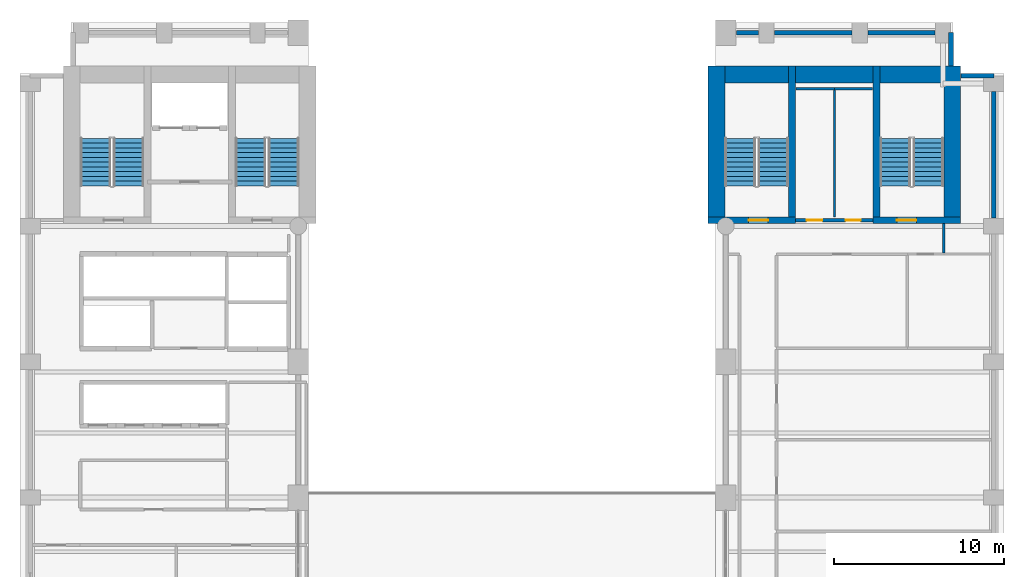
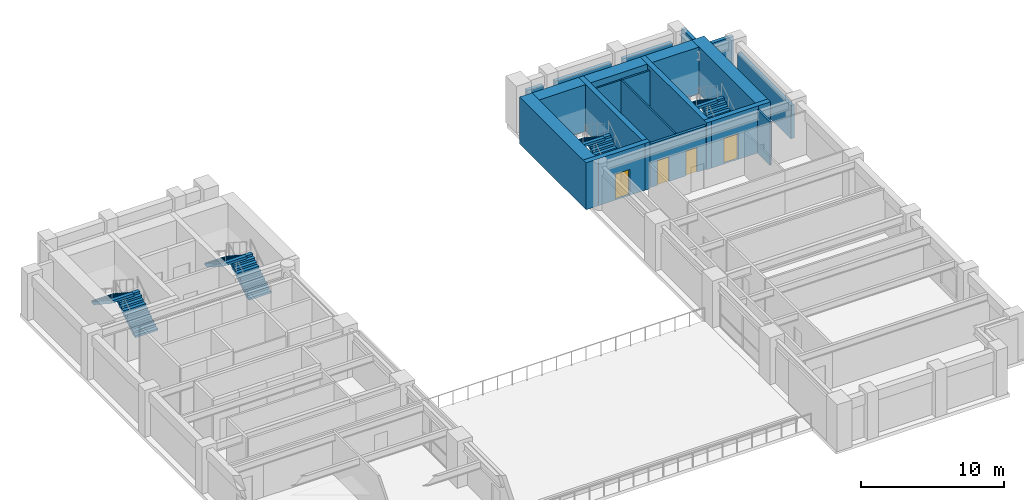
# One storey, part 7 of 10: 18 walls, 8 stair flights, 4 doors, 4 openings, 4 elements without a shape of their own.
"""IFC4 building model written with IfcOpenShell, lengths in metres."""

import ifcopenshell
import ifcopenshell.guid

model = None  # the IFC model being written
_history = None  # IfcOwnerHistory: only IFC2X3 demands one
_inside = {}  # id of a spatial element -> (the spatial element, [elements in it])
_under = {}  # id of a project, library or spatial element -> (it, [spatial elements below it])
_declared = {}  # id of a project -> (the project, [libraries it declares])
_typed = {}  # id of a type object -> (the type object, [elements of that type])
_made_of = {}  # id of a material, layer set ... -> (it, [elements and type objects made of it])


def new_model(schema):
    """Start an empty IFC model of exactly this schema.

    Asked for "IFC4X3", IfcOpenShell would pick the latest addendum, in which some entities
    have other attributes; the version numbers below select the first issue.
    IFC2X3 requires an IfcOwnerHistory on every rooted entity: one is made here for all.
    """
    global model, _history
    if schema == "IFC4X3":
        model = ifcopenshell.file(schema_version=(4, 3, 0, 0))
    else:
        model = ifcopenshell.file(schema=schema)
    _inside.clear()
    _under.clear()
    _declared.clear()
    _typed.clear()
    _made_of.clear()
    _history = None
    if model.schema == "IFC2X3":
        org = make("IfcOrganization", Name="unknown")
        user = make(
            "IfcPersonAndOrganization",
            ThePerson=make("IfcPerson", FamilyName="unknown"),
            TheOrganization=org,
        )
        app = make(
            "IfcApplication",
            ApplicationDeveloper=org,
            Version="unknown",
            ApplicationFullName="unknown",
            ApplicationIdentifier="unknown",
        )
        _history = make(
            "IfcOwnerHistory",
            OwningUser=user,
            OwningApplication=app,
            ChangeAction="ADDED",
            CreationDate=0,
        )
    return model


def make(cls, **values):
    """One entity of the class cls with the attributes given. An attribute that is None is left unset."""
    return model.create_entity(
        cls, **{name: value for name, value in values.items() if value is not None}
    )


def rooted(cls, **values):
    """An entity with a GlobalId (a new one), such as an element, a storey or a relation."""
    return make(cls, GlobalId=ifcopenshell.guid.new(), OwnerHistory=_history, **values)


def si_unit(unit_type, name, prefix=None):
    """IfcSIUnit, for example si_unit("LENGTHUNIT", "METRE", prefix="MILLI")."""
    return make("IfcSIUnit", UnitType=unit_type, Prefix=prefix, Name=name)


def assignment(units):
    """IfcUnitAssignment: the units of a project."""
    return None if units is None else make("IfcUnitAssignment", Units=units)


def point(xyz):
    """IfcCartesianPoint."""
    return None if xyz is None else make("IfcCartesianPoint", Coordinates=xyz)


def direction(xyz):
    """IfcDirection."""
    return None if xyz is None else make("IfcDirection", DirectionRatios=xyz)


def frame(location, z_axis=None, x_axis=None):
    """IfcAxis2Placement3D, a coordinate frame: its origin and axes. An axis left out is left unset."""
    return make(
        "IfcAxis2Placement3D",
        Location=point(location),
        Axis=direction(z_axis),
        RefDirection=direction(x_axis),
    )


def frame_2d(location, x_axis=None):
    """IfcAxis2Placement2D, a coordinate frame in the plane: its origin and x axis."""
    return make(
        "IfcAxis2Placement2D", Location=point(location), RefDirection=direction(x_axis)
    )


def origin():
    """The frame at (0, 0, 0) with its axes left unset."""
    return frame((0.0, 0.0, 0.0))


def place(relative_to, where):
    """IfcLocalPlacement: puts the frame where relative to a parent placement (None: the world)."""
    return make(
        "IfcLocalPlacement", PlacementRelTo=relative_to, RelativePlacement=where
    )


def context(
    kind, dimensions, precision=None, world=None, true_north=None, identifier=None
):
    """IfcGeometricRepresentationContext, for example the 3D "Model" context."""
    return make(
        "IfcGeometricRepresentationContext",
        ContextIdentifier=identifier,
        ContextType=kind,
        CoordinateSpaceDimension=dimensions,
        Precision=precision,
        WorldCoordinateSystem=world,
        TrueNorth=true_north,
    )


def subcontext(parent, identifier, kind, view, scale=None):
    """IfcGeometricRepresentationSubContext, for example "Body" below "Model"."""
    return make(
        "IfcGeometricRepresentationSubContext",
        ContextIdentifier=identifier,
        ContextType=kind,
        ParentContext=parent,
        TargetScale=scale,
        TargetView=view,
    )


def project(units=None, contexts=None):
    """IfcProject with its units and contexts."""
    return rooted(
        "IfcProject",
        Name="project",
        RepresentationContexts=contexts,
        UnitsInContext=assignment(units),
    )


def spatial(cls, under=None, at=None, **own):
    """A site, building, storey or space (cls), placed at a placement, below another one or the project."""
    s = rooted(cls, ObjectPlacement=at, **own)
    if under is not None:
        _under.setdefault(under.id(), (under, []))[1].append(s)
    return s


def polyline(points):
    """IfcPolyline through the points."""
    return make("IfcPolyline", Points=[point(p) for p in points])


def profile(cls, at=None, kind="AREA", **sizes):
    """A parametric profile (cls). Its sizes go by their IFC names, for example OverallWidth=200.0."""
    return make(cls, ProfileType=kind, Position=at, **sizes)


def rectangle(**sizes):
    """IfcRectangleProfileDef."""
    return profile("IfcRectangleProfileDef", **sizes)


def outline(outer, holes=None, kind="AREA"):
    """IfcArbitraryClosedProfileDef: a profile drawn as a closed curve; with holes, ...WithVoids."""
    if holes is None:
        return make("IfcArbitraryClosedProfileDef", ProfileType=kind, OuterCurve=outer)
    return make(
        "IfcArbitraryProfileDefWithVoids",
        ProfileType=kind,
        OuterCurve=outer,
        InnerCurves=holes,
    )


def extrude(swept, where, along, depth):
    """IfcExtrudedAreaSolid: the profile swept, set in the frame where, extruded along a direction by depth."""
    return make(
        "IfcExtrudedAreaSolid",
        SweptArea=swept,
        Position=where,
        ExtrudedDirection=direction(along),
        Depth=depth,
    )


def shape(context_of_items, identifier, shape_type, items):
    """IfcShapeRepresentation: the items that make up one representation, for example the "Body"."""
    return make(
        "IfcShapeRepresentation",
        ContextOfItems=context_of_items,
        RepresentationIdentifier=identifier,
        RepresentationType=shape_type,
        Items=items,
    )


def material(Name=None, Category=None):
    """IfcMaterial."""
    return make("IfcMaterial", Name=Name, Category=Category)


def layer(
    of_material, thickness, ventilated=None, Name=None, Category=None, Priority=None
):
    """IfcMaterialLayer: one layer of a wall or slab, of a material (None: an air gap)."""
    return make(
        "IfcMaterialLayer",
        Material=of_material,
        LayerThickness=thickness,
        IsVentilated=ventilated,
        Name=Name,
        Category=Category,
        Priority=Priority,
    )


def layer_set(layers, Name=None):
    """IfcMaterialLayerSet."""
    return make("IfcMaterialLayerSet", MaterialLayers=layers, LayerSetName=Name)


def made_of(thing, what):
    """Note that an element or type object is made of a material, layer set ...; save() writes the relation."""
    if what is not None:
        _made_of.setdefault(what.id(), (what, []))[1].append(thing)
    return thing


def type_object(cls, material=None, **own):
    """A type object (cls), such as IfcWallType, which elements share."""
    return made_of(rooted(cls, **own), material)


def element(
    cls,
    number,
    at=None,
    inside=None,
    cuts=None,
    type_object=None,
    material=None,
    context=None,
    identifier="Body",
    shape_type=None,
    held_by="IfcProductDefinitionShape",
    body=None,
    shapes=None,
    **own,
):
    """One element of the class cls, such as IfcWall. Its Tag is "e" and its number.

    at: its placement. inside: the storey or other place that contains it. cuts: it is an
    opening in that element (IfcRelVoidsElement). A single representation is given by context,
    identifier, shape_type and body (its items); several are given by shapes. held_by: the class
    of the entity that holds the representations. save() writes the other relations.
    """
    e = rooted(cls, Tag="e%d" % number, ObjectPlacement=at, **own)
    if body is not None:
        shapes = [shape(context, identifier, shape_type, body)]
    if shapes is not None:
        e.Representation = make(held_by, Representations=shapes)
    if inside is not None:
        _inside.setdefault(inside.id(), (inside, []))[1].append(e)
    if cuts is not None:
        rooted(
            "IfcRelVoidsElement", RelatingBuildingElement=cuts, RelatedOpeningElement=e
        )
    if type_object is not None:
        _typed.setdefault(type_object.id(), (type_object, []))[1].append(e)
    return made_of(e, material)


def fill(opening, filler):
    """IfcRelFillsElement: the door or window that sits in an opening."""
    return rooted(
        "IfcRelFillsElement",
        RelatingOpeningElement=opening,
        RelatedBuildingElement=filler,
    )


def aggregate(whole, parts):
    """IfcRelAggregates: a whole, such as a stair, and the parts it consists of."""
    return rooted("IfcRelAggregates", RelatingObject=whole, RelatedObjects=parts)


def save(model, path):
    """Write the relations noted so far, then the file.

    IfcRelAggregates (storeys below a building ...), IfcRelContainedInSpatialStructure (elements
    in a storey), IfcRelDefinesByType, IfcRelAssociatesMaterial and IfcRelDeclares: one each for
    every whole, place, type object, material and project.
    """
    for whole, parts in _under.values():
        aggregate(whole, parts)
    for where, things in _inside.values():
        rooted(
            "IfcRelContainedInSpatialStructure",
            RelatedElements=things,
            RelatingStructure=where,
        )
    for kind, things in _typed.values():
        rooted("IfcRelDefinesByType", RelatedObjects=things, RelatingType=kind)
    for what, things in _made_of.values():
        rooted("IfcRelAssociatesMaterial", RelatedObjects=things, RelatingMaterial=what)
    for by, libraries in _declared.values():
        rooted("IfcRelDeclares", RelatingContext=by, RelatedDefinitions=libraries)
    model.write(path)


model = new_model("IFC4")

# Units and contexts
model_context = context("Model", 3, precision=1e-05, world=origin(), true_north=direction((0.0, 1.0)))
body_context = subcontext(model_context, "Body", "Model", "MODEL_VIEW")
ifc_project = project(units=[si_unit("LENGTHUNIT", "METRE"), si_unit("AREAUNIT", "SQUARE_METRE"), si_unit("VOLUMEUNIT", "CUBIC_METRE"), si_unit("PLANEANGLEUNIT", "RADIAN"), si_unit("MASSUNIT", "GRAM", prefix="KILO")], contexts=[model_context])

# Site, building, storey
site_placement = place(None, origin())
site = spatial("IfcSite", under=ifc_project, at=site_placement, CompositionType="ELEMENT")
building_placement = place(site_placement, origin())
building = spatial("IfcBuilding", under=site, at=building_placement, Name="Sulina Concourse Tower", CompositionType="ELEMENT")
storey_placement = place(building_placement, frame((0.0, 0.0, 22.60009765625)))
storey = spatial("IfcBuildingStorey", under=building, at=storey_placement, Name="L05", CompositionType="ELEMENT", Elevation=22.60009765625)

# Wall, openings, doors
ifc_material_1 = material(Name="Gypsum board on steel stud", Category="steel")
ifc_layer_1 = layer(ifc_material_1, 0.219970703125)
ifc_layer_set_1 = layer_set([ifc_layer_1], Name="Gypsum board on steel stud")
wall_type_1 = type_object("IfcWallType", Name="Fire-Rated Lobby & Compartment Wall 220mm", PredefinedType="PARTITIONING", material=ifc_layer_set_1)
wall_1_placement = place(storey_placement, frame((45.719970703125, 34.35009765625, 0.0), z_axis=(0.0, 0.0, 1.0), x_axis=(1.0, 0.0, 0.0)))
wall_1 = element("IfcWall", 1, at=wall_1_placement, inside=storey, type_object=wall_type_1, Name="L05 east core south lobby wall", PredefinedType="PARTITIONING", context=body_context, shape_type="SweptSolid", body=[
    extrude(rectangle(XDim=4.56005859375, YDim=0.219970703125, at=frame_2d((2.280029296875, 0.0))), origin(), (0.0, 0.0, 1.0), 3.699951171875),
])
opening_1_placement = place(wall_1_placement, frame((0.64990234375, 0.0, 0.0)))
opening_1 = element("IfcOpeningElement", 2, at=opening_1_placement, cuts=wall_1, Name="Opening DR-61", PredefinedType="OPENING", context=body_context, shape_type="SweptSolid", body=[
    extrude(rectangle(XDim=0.919921875, YDim=2.10009765625, at=frame_2d((0.4599609375, 1.050048828125))), frame((0.0, 0.119873046875, 0.0), z_axis=(0.0, -1.0, 0.0), x_axis=(1.0, 0.0, 0.0)), (0.0, 0.0, 1.0), 0.239990234375),
])
opening_2_placement = place(wall_1_placement, frame((2.949951171875, 0.0, 0.0)))
opening_2 = element("IfcOpeningElement", 3, at=opening_2_placement, cuts=wall_1, Name="Opening DR-38", PredefinedType="OPENING", context=body_context, shape_type="SweptSolid", body=[
    extrude(rectangle(XDim=0.8798828125, YDim=2.10009765625, at=frame_2d((0.43994140625, 1.050048828125))), frame((0.0, 0.119873046875, 0.0), z_axis=(0.0, -1.0, 0.0), x_axis=(1.0, 0.0, 0.0)), (0.0, 0.0, 1.0), 0.239990234375),
])
ifc_material_2 = material(Name="Oak-veneered fire door leaf")
ifc_layer_2 = layer(ifc_material_2, 0.050048828125)
ifc_layer_set_2 = layer_set([ifc_layer_2], Name="Oak-veneered fire door leaf")
door_type_1 = type_object("IfcDoorType", Name="Accessible WC Door 920x2100", OperationType="NOTDEFINED", PredefinedType="DOOR", material=ifc_layer_set_2)
door_1_placement = place(opening_1_placement, origin())
door_1 = element("IfcDoor", 4, at=door_1_placement, inside=storey, type_object=door_type_1, Name="L05 east core accessible wc door", OperationType="SINGLE_SWING_RIGHT", OverallHeight=2.10009765625, OverallWidth=0.919921875, PredefinedType="DOOR", context=body_context, shape_type="SweptSolid", body=[
    extrude(rectangle(XDim=0.919921875, YDim=2.10009765625, at=frame_2d((0.4599609375, 1.050048828125))), frame((0.0, 0.02490234375, 0.0), z_axis=(0.0, -1.0, 0.0), x_axis=(1.0, 0.0, 0.0)), (0.0, 0.0, 1.0), 0.050048828125),
])
fill(opening_1, door_1)
ifc_material_3 = material(Name="Galvanised steel acoustic fire leaf", Category="steel")
ifc_layer_3 = layer(ifc_material_3, 0.050048828125)
ifc_layer_set_3 = layer_set([ifc_layer_3], Name="Galvanised steel acoustic fire leaf")
door_type_2 = type_object("IfcDoorType", Name="Service Riser Fire Door 880x2100", OperationType="NOTDEFINED", PredefinedType="DOOR", material=ifc_layer_set_3)
door_2_placement = place(opening_2_placement, origin())
door_2 = element("IfcDoor", 5, at=door_2_placement, inside=storey, type_object=door_type_2, Name="L05 east core store door", OperationType="SINGLE_SWING_LEFT", OverallHeight=2.10009765625, OverallWidth=0.8798828125, PredefinedType="DOOR", context=body_context, shape_type="SweptSolid", body=[
    extrude(rectangle(XDim=0.8798828125, YDim=2.10009765625, at=frame_2d((0.43994140625, 1.050048828125))), frame((0.0, 0.02490234375, 0.0), z_axis=(0.0, -1.0, 0.0), x_axis=(1.0, 0.0, 0.0)), (0.0, 0.0, 1.0), 0.050048828125),
])
fill(opening_2, door_2)

# Walls
ifc_material_4 = material(Name="Gypsum board on steel stud", Category="steel")
ifc_layer_4 = layer(ifc_material_4, 0.14990234375)
ifc_layer_set_4 = layer_set([ifc_layer_4], Name="Gypsum board on steel stud")
wall_type_2 = type_object("IfcWallType", Name="Inter-Tenancy Acoustic Partition 150mm", PredefinedType="PARTITIONING", material=ifc_layer_set_4)
wall_2_placement = place(storey_placement, frame((48.0, 42.10009765625, 0.0), z_axis=(0.0, 0.0, 1.0), x_axis=(1.0, 0.0, 0.0)))
element("IfcWall", 6, at=wall_2_placement, inside=storey, type_object=wall_type_2, Name="L05 interior partition 023", PredefinedType="PARTITIONING", context=body_context, shape_type="SweptSolid", body=[
    extrude(rectangle(XDim=2.25, YDim=0.14990234375, at=frame_2d((1.125, 0.0))), origin(), (0.0, 0.0, 1.0), 3.699951171875),
])
wall_3_placement = place(storey_placement, frame((54.449951171875, 32.41259765625, 0.0), z_axis=(0.0, 0.0, 1.0), x_axis=(0.0, 1.0, 0.0)))
element("IfcWall", 7, at=wall_3_placement, inside=storey, type_object=wall_type_2, Name="L05 interior partition 040", PredefinedType="PARTITIONING", context=body_context, shape_type="SweptSolid", body=[
    extrude(rectangle(XDim=1.7373046875, YDim=0.14990234375, at=frame_2d((0.86865234375, 0.0))), origin(), (0.0, 0.0, 1.0), 3.699951171875),
])

# Wall, opening, door
ifc_material_5 = material(Name="Concrete C60/75", Category="concrete")
ifc_layer_5 = layer(ifc_material_5, 0.39990234375)
ifc_layer_set_5 = layer_set([ifc_layer_5], Name="Concrete C60/75")
wall_type_3 = type_object("IfcWallType", Name="Protected Stair Core Shear Wall 400mm", PredefinedType="SHEAR", material=ifc_layer_set_5)
wall_4_placement = place(storey_placement, frame((40.550048828125, 34.35009765625, 0.0), z_axis=(0.0, 0.0, 1.0), x_axis=(1.0, 0.0, 0.0)))
wall_4 = element("IfcWall", 8, at=wall_4_placement, inside=storey, type_object=wall_type_3, Name="L05 east core shear wall CW-ES1", PredefinedType="SHEAR", context=body_context, shape_type="SweptSolid", body=[
    extrude(rectangle(XDim=5.159912109375, YDim=0.39990234375, at=frame_2d((2.580078125, 0.0))), origin(), (0.0, 0.0, 1.0), 4.0),
])
opening_3_placement = place(wall_4_placement, frame((2.39990234375, 0.0, 0.0)))
opening_3 = element("IfcOpeningElement", 9, at=opening_3_placement, cuts=wall_4, Name="Opening DR-60", PredefinedType="OPENING", context=body_context, shape_type="SweptSolid", body=[
    extrude(rectangle(XDim=1.14990234375, YDim=2.199951171875, at=frame_2d((0.574951171875, 1.10009765625))), frame((0.0, 0.2099609375, 0.0), z_axis=(0.0, -1.0, 0.0), x_axis=(1.0, 0.0, 0.0)), (0.0, 0.0, 1.0), 0.419921875),
])
ifc_material_6 = material(Name="Galvanised steel acoustic fire leaf", Category="steel")
ifc_layer_6 = layer(ifc_material_6, 0.054931640625)
ifc_layer_set_6 = layer_set([ifc_layer_6], Name="Galvanised steel acoustic fire leaf")
door_type_3 = type_object("IfcDoorType", Name="Protected Exit Stair Fire Door 1150x2200", OperationType="NOTDEFINED", PredefinedType="DOOR", material=ifc_layer_set_6)
door_3_placement = place(opening_3_placement, origin())
door_3 = element("IfcDoor", 10, at=door_3_placement, inside=storey, type_object=door_type_3, Name="L05 stair ST-3 south lobby fire door", OperationType="SINGLE_SWING_LEFT", OverallHeight=2.199951171875, OverallWidth=1.14990234375, PredefinedType="DOOR", context=body_context, shape_type="SweptSolid", body=[
    extrude(rectangle(XDim=1.14990234375, YDim=2.199951171875, at=frame_2d((0.574951171875, 1.10009765625))), frame((0.0, 0.02490234375, 0.0), z_axis=(0.0, -1.0, 0.0), x_axis=(1.0, 0.0, 0.0)), (0.0, 0.0, 1.0), 0.050048828125),
])
fill(opening_3, door_3)

# Wall
wall_5_placement = place(storey_placement, frame((45.510009765625, 34.14990234375, 0.0), z_axis=(0.0, 0.0, 1.0), x_axis=(0.0, 1.0, 0.0)))
element("IfcWall", 11, at=wall_5_placement, inside=storey, type_object=wall_type_3, Name="L05 east core shear wall SW-ST3", PredefinedType="SHEAR", context=body_context, shape_type="SweptSolid", body=[
    extrude(rectangle(XDim=9.280029296875, YDim=0.39990234375, at=frame_2d((4.64013671875, 0.0))), origin(), (0.0, 0.0, 1.0), 4.0),
])

# Wall, opening, door
wall_6_placement = place(storey_placement, frame((50.2900390625, 34.35009765625, 0.0), z_axis=(0.0, 0.0, 1.0), x_axis=(1.0, 0.0, 0.0)))
wall_6 = element("IfcWall", 12, at=wall_6_placement, inside=storey, type_object=wall_type_3, Name="L05 east core shear wall CW-ES2", PredefinedType="SHEAR", context=body_context, shape_type="SweptSolid", body=[
    extrude(rectangle(XDim=5.159912109375, YDim=0.39990234375, at=frame_2d((2.580078125, 0.0))), origin(), (0.0, 0.0, 1.0), 4.0),
])
opening_4_placement = place(wall_6_placement, frame((1.39990234375, 0.0, 0.0)))
opening_4 = element("IfcOpeningElement", 13, at=opening_4_placement, cuts=wall_6, Name="Opening DR-60", PredefinedType="OPENING", context=body_context, shape_type="SweptSolid", body=[
    extrude(rectangle(XDim=1.14990234375, YDim=2.199951171875, at=frame_2d((0.574951171875, 1.10009765625))), frame((0.0, 0.2099609375, 0.0), z_axis=(0.0, -1.0, 0.0), x_axis=(1.0, 0.0, 0.0)), (0.0, 0.0, 1.0), 0.419921875),
])
door_4_placement = place(opening_4_placement, origin())
door_4 = element("IfcDoor", 14, at=door_4_placement, inside=storey, type_object=door_type_3, Name="L05 stair ST-4 south lobby fire door", OperationType="SINGLE_SWING_RIGHT", OverallHeight=2.199951171875, OverallWidth=1.14990234375, PredefinedType="DOOR", context=body_context, shape_type="SweptSolid", body=[
    extrude(rectangle(XDim=1.14990234375, YDim=2.199951171875, at=frame_2d((0.574951171875, 1.10009765625))), frame((0.0, 0.02490234375, 0.0), z_axis=(0.0, -1.0, 0.0), x_axis=(1.0, 0.0, 0.0)), (0.0, 0.0, 1.0), 0.050048828125),
])
fill(opening_4, door_4)

# Walls
wall_7_placement = place(storey_placement, frame((50.489990234375, 34.14990234375, 0.0), z_axis=(0.0, 0.0, 1.0), x_axis=(0.0, 1.0, 0.0)))
element("IfcWall", 15, at=wall_7_placement, inside=storey, type_object=wall_type_3, Name="L05 east core shear wall SW-ST4", PredefinedType="SHEAR", context=body_context, shape_type="SweptSolid", body=[
    extrude(rectangle(XDim=9.280029296875, YDim=0.39990234375, at=frame_2d((4.64013671875, 0.0))), origin(), (0.0, 0.0, 1.0), 4.0),
])
ifc_material_7 = material(Name="Concrete C80/95", Category="concrete")
ifc_layer_7 = layer(ifc_material_7, 1.0)
ifc_layer_set_7 = layer_set([ifc_layer_7], Name="Concrete C80/95")
wall_type_4 = type_object("IfcWallType", Name="Rear Core Shear Wall 1000mm", PredefinedType="SHEAR", material=ifc_layer_set_7)
wall_8_placement = place(storey_placement, frame((40.550048828125, 42.929931640625, 0.0), z_axis=(0.0, 0.0, 1.0), x_axis=(1.0, 0.0, 0.0)))
element("IfcWall", 16, at=wall_8_placement, inside=storey, type_object=wall_type_4, Name="L05 east core shear wall CW-EN", PredefinedType="SHEAR", context=body_context, shape_type="SweptSolid", body=[
    extrude(rectangle(XDim=14.89990234375, YDim=1.0, at=frame_2d((7.449951171875, 0.0))), origin(), (0.0, 0.0, 1.0), 4.0),
])
for number, where, z_axis, x_axis, name in (
    (17, (41.050048828125, 34.14990234375, 0.0), (0.0, 0.0, 1.0), (0.0, 1.0, 0.0), "L05 east core shear wall CW-EW"),
    (18, (54.949951171875, 34.14990234375, 0.0), (0.0, 0.0, 1.0), (0.0, 1.0, 0.0), "L05 east core shear wall CW-EE"),
):
    element("IfcWall", number, at=place(storey_placement, frame(where, z_axis=z_axis, x_axis=x_axis)), inside=storey, type_object=wall_type_4, Name=name, PredefinedType="SHEAR", context=body_context, shape_type="SweptSolid", body=[
        extrude(rectangle(XDim=9.280029296875, YDim=1.0, at=frame_2d((4.64013671875, 0.0))), origin(), (0.0, 0.0, 1.0), 4.0),
    ])
ifc_material_8 = material(Name="Precast concrete C50/60", Category="concrete")
ifc_layer_8 = layer(ifc_material_8, 0.280029296875)
ifc_layer_set_8 = layer_set([ifc_layer_8], Name="Precast concrete C50/60")
wall_type_5 = type_object("IfcWallType", Name="Typical Precast Masonry-Frame Facade Wall 280mm", PredefinedType="SOLIDWALL", material=ifc_layer_set_8)
wall_9_placement = place(storey_placement, frame((42.219970703125, 45.39990234375, 0.0), z_axis=(0.0, 0.0, 1.0), x_axis=(1.0, 0.0, 0.0)))
element("IfcWall", 19, at=wall_9_placement, inside=storey, type_object=wall_type_5, Name="L05 exterior precast wall N5", PredefinedType="SOLIDWALL", context=body_context, shape_type="SweptSolid", body=[
    extrude(rectangle(XDim=1.31005859375, YDim=0.280029296875, at=frame_2d((0.655029296875, 0.0))), origin(), (0.0, 0.0, 1.0), 2.849853515625),
])
wall_10_placement = place(storey_placement, frame((44.469970703125, 45.39990234375, 0.0), z_axis=(0.0, 0.0, 1.0), x_axis=(1.0, 0.0, 0.0)))
element("IfcWall", 20, at=wall_10_placement, inside=storey, type_object=wall_type_5, Name="L05 exterior precast wall N6", PredefinedType="SOLIDWALL", context=body_context, shape_type="SweptSolid", body=[
    extrude(rectangle(XDim=4.56005859375, YDim=0.280029296875, at=frame_2d((2.280029296875, 0.0))), origin(), (0.0, 0.0, 1.0), 2.849853515625),
])
wall_11_placement = place(storey_placement, frame((49.969970703125, 45.39990234375, 0.0), z_axis=(0.0, 0.0, 1.0), x_axis=(1.0, 0.0, 0.0)))
element("IfcWall", 21, at=wall_11_placement, inside=storey, type_object=wall_type_5, Name="L05 exterior precast wall N7", PredefinedType="SOLIDWALL", context=body_context, shape_type="SweptSolid", body=[
    extrude(rectangle(XDim=3.9599609375, YDim=0.280029296875, at=frame_2d((1.97998046875, 0.0))), origin(), (0.0, 0.0, 1.0), 2.849853515625),
])
wall_12_placement = place(storey_placement, frame((57.39990234375, 41.929931640625, 0.0), z_axis=(0.0, 0.0, 1.0), x_axis=(0.0, -1.0, 0.0)))
element("IfcWall", 22, at=wall_12_placement, inside=storey, type_object=wall_type_5, Name="L05 exterior precast wall E5", PredefinedType="SOLIDWALL", context=body_context, shape_type="SweptSolid", body=[
    extrude(rectangle(XDim=7.4599609375, YDim=0.280029296875, at=frame_2d((3.72998046875, 0.0))), origin(), (0.0, 0.0, 1.0), 2.849853515625),
])
wall_13_placement = place(storey_placement, frame((54.8701171875, 45.39990234375, 0.0), z_axis=(0.0, 0.0, 1.0), x_axis=(0.0, -1.0, 0.0)))
element("IfcWall", 23, at=wall_13_placement, inside=storey, type_object=wall_type_5, Name="L05 exterior precast wall CNE1", PredefinedType="SOLIDWALL", context=body_context, shape_type="SweptSolid", body=[
    extrude(rectangle(XDim=1.96484375, YDim=0.280029296875, at=frame_2d((0.982421875, 0.0))), origin(), (0.0, 0.0, 1.0), 3.699951171875),
])
wall_14_placement = place(storey_placement, frame((55.455078125, 42.8701171875, 0.0), z_axis=(0.0, 0.0, 1.0), x_axis=(1.0, 0.0, 0.0)))
element("IfcWall", 24, at=wall_14_placement, inside=storey, type_object=wall_type_5, Name="L05 exterior precast wall CNE2", PredefinedType="SOLIDWALL", context=body_context, shape_type="SweptSolid", body=[
    extrude(rectangle(XDim=1.94482421875, YDim=0.280029296875, at=frame_2d((0.972412109375, 0.0))), origin(), (0.0, 0.0, 1.0), 3.699951171875),
])
ifc_material_9 = material(Name="Gypsum board on steel stud", Category="steel")
ifc_layer_9 = layer(ifc_material_9, 0.125)
ifc_layer_set_9 = layer_set([ifc_layer_9], Name="Gypsum board on steel stud")
wall_type_6 = type_object("IfcWallType", Name="Wet-Area Moisture-Resistant Partition 125mm", PredefinedType="PARTITIONING", material=ifc_layer_set_9)
wall_15_placement = place(storey_placement, frame((45.75, 42.10009765625, 0.0), z_axis=(0.0, 0.0, 1.0), x_axis=(1.0, 0.0, 0.0)))
element("IfcWall", 25, at=wall_15_placement, inside=storey, type_object=wall_type_6, Name="L05 interior partition 022", PredefinedType="PARTITIONING", context=body_context, shape_type="SweptSolid", body=[
    extrude(rectangle(XDim=2.25, YDim=0.125, at=frame_2d((1.125, 0.0))), origin(), (0.0, 0.0, 1.0), 3.699951171875),
])
wall_16_placement = place(storey_placement, frame((48.0, 34.550048828125, 0.0), z_axis=(0.0, 0.0, 1.0), x_axis=(0.0, 1.0, 0.0)))
element("IfcWall", 26, at=wall_16_placement, inside=storey, type_object=wall_type_6, Name="L05 interior partition 038", PredefinedType="PARTITIONING", context=body_context, shape_type="SweptSolid", body=[
    extrude(rectangle(XDim=7.474853515625, YDim=0.125, at=frame_2d((3.7373046875, 0.0))), origin(), (0.0, 0.0, 1.0), 3.699951171875),
])

# Stair, stair flights
ifc_material_10 = material(Name="Concrete C50/60", Category="concrete")
stair_type_1 = type_object("IfcStairType", Name="Portal & Podium Core Exit Stair 1820mm", PredefinedType="HALF_TURN_STAIR", material=ifc_material_10)
stair_1_placement = place(storey_placement, origin())
stair_1 = element("IfcStair", 27, at=stair_1_placement, inside=storey, type_object=stair_type_1, Name="L05 ST-3", PredefinedType="HALF_TURN_STAIR")
ifc_material_11 = material(Name="Concrete C50/60", Category="concrete")
stair_flight_type_1 = type_object("IfcStairFlightType", Name="Portal & Podium Core Exit Stair 1820mm Flight", PredefinedType="STRAIGHT", material=ifc_material_11)
stair_flight_1_placement = place(storey_placement, frame((44.405029296875, 36.375, 0.0), z_axis=(0.0, 0.0, 1.0), x_axis=(0.0, 1.0, 0.0)))
stair_flight_1 = element("IfcStairFlight", 28, at=stair_flight_1_placement, type_object=stair_flight_type_1, Name="ST-3 flight 1", NumberOfRisers=11, NumberOfTreads=10, PredefinedType="STRAIGHT", RiserHeight=0.181818182, TreadLength=0.28, context=body_context, shape_type="SweptSolid", body=[
    extrude(outline(polyline([(0.0, 0.0), (0.0, 0.181884765625), (0.280029296875, 0.181884765625), (0.280029296875, 0.363525390625), (0.56005859375, 0.363525390625), (0.56005859375, 0.54541015625), (0.840087890625, 0.54541015625), (0.840087890625, 0.727294921875), (1.1201171875, 0.727294921875), (1.1201171875, 0.9091796875), (1.39990234375, 0.9091796875), (1.39990234375, 1.0908203125), (1.679931640625, 1.0908203125), (1.679931640625, 1.272705078125), (1.9599609375, 1.272705078125), (1.9599609375, 1.45458984375), (2.239990234375, 1.45458984375), (2.239990234375, 1.636474609375), (2.52001953125, 1.636474609375), (2.52001953125, 1.818115234375), (2.800048828125, 1.818115234375), (2.800048828125, 2.0), (2.800048828125, 1.603759765625), (0.330322265625, 0.0), (0.0, 0.0)])), frame((0.0, 0.89990234375, 0.0), z_axis=(0.0, -1.0, 0.0), x_axis=(1.0, 0.0, 0.0)), (0.0, 0.0, 1.0), 1.800048828125),
])
stair_flight_2_placement = place(storey_placement, frame((42.455078125, 39.175048828125, 2.0), z_axis=(0.0, 0.0, 1.0), x_axis=(0.0, -1.0, 0.0)))
stair_flight_2 = element("IfcStairFlight", 29, at=stair_flight_2_placement, type_object=stair_flight_type_1, Name="ST-3 flight 2", NumberOfRisers=11, NumberOfTreads=10, PredefinedType="STRAIGHT", RiserHeight=0.181818182, TreadLength=0.28, context=body_context, shape_type="SweptSolid", body=[
    extrude(outline(polyline([(0.0, 0.0), (0.0, 0.181884765625), (0.280029296875, 0.181884765625), (0.280029296875, 0.363525390625), (0.56005859375, 0.363525390625), (0.56005859375, 0.54541015625), (0.840087890625, 0.54541015625), (0.840087890625, 0.727294921875), (1.1201171875, 0.727294921875), (1.1201171875, 0.9091796875), (1.39990234375, 0.9091796875), (1.39990234375, 1.0908203125), (1.679931640625, 1.0908203125), (1.679931640625, 1.272705078125), (1.9599609375, 1.272705078125), (1.9599609375, 1.45458984375), (2.239990234375, 1.45458984375), (2.239990234375, 1.636474609375), (2.52001953125, 1.636474609375), (2.52001953125, 1.818115234375), (2.800048828125, 1.818115234375), (2.800048828125, 2.0), (2.800048828125, 1.603759765625), (0.330322265625, 0.0), (0.0, 0.0)])), frame((0.0, 0.89990234375, 0.0), z_axis=(0.0, -1.0, 0.0), x_axis=(1.0, 0.0, 0.0)), (0.0, 0.0, 1.0), 1.800048828125),
])
aggregate(stair_1, [stair_flight_1, stair_flight_2])

stair_2_placement = place(storey_placement, origin())
stair_2 = element("IfcStair", 30, at=stair_2_placement, inside=storey, type_object=stair_type_1, Name="L05 ST-4", PredefinedType="HALF_TURN_STAIR")
stair_flight_3_placement = place(storey_placement, frame((53.544921875, 36.375, 0.0), z_axis=(0.0, 0.0, 1.0), x_axis=(0.0, 1.0, 0.0)))
stair_flight_3 = element("IfcStairFlight", 31, at=stair_flight_3_placement, type_object=stair_flight_type_1, Name="ST-4 flight 1", NumberOfRisers=11, NumberOfTreads=10, PredefinedType="STRAIGHT", RiserHeight=0.181818182, TreadLength=0.28, context=body_context, shape_type="SweptSolid", body=[
    extrude(outline(polyline([(0.0, 0.0), (0.0, 0.181884765625), (0.280029296875, 0.181884765625), (0.280029296875, 0.363525390625), (0.56005859375, 0.363525390625), (0.56005859375, 0.54541015625), (0.840087890625, 0.54541015625), (0.840087890625, 0.727294921875), (1.1201171875, 0.727294921875), (1.1201171875, 0.9091796875), (1.39990234375, 0.9091796875), (1.39990234375, 1.0908203125), (1.679931640625, 1.0908203125), (1.679931640625, 1.272705078125), (1.9599609375, 1.272705078125), (1.9599609375, 1.45458984375), (2.239990234375, 1.45458984375), (2.239990234375, 1.636474609375), (2.52001953125, 1.636474609375), (2.52001953125, 1.818115234375), (2.800048828125, 1.818115234375), (2.800048828125, 2.0), (2.800048828125, 1.603759765625), (0.330322265625, 0.0), (0.0, 0.0)])), frame((0.0, 0.89990234375, 0.0), z_axis=(0.0, -1.0, 0.0), x_axis=(1.0, 0.0, 0.0)), (0.0, 0.0, 1.0), 1.800048828125),
])
stair_flight_4_placement = place(storey_placement, frame((51.594970703125, 39.175048828125, 2.0), z_axis=(0.0, 0.0, 1.0), x_axis=(0.0, -1.0, 0.0)))
stair_flight_4 = element("IfcStairFlight", 32, at=stair_flight_4_placement, type_object=stair_flight_type_1, Name="ST-4 flight 2", NumberOfRisers=11, NumberOfTreads=10, PredefinedType="STRAIGHT", RiserHeight=0.181818182, TreadLength=0.28, context=body_context, shape_type="SweptSolid", body=[
    extrude(outline(polyline([(0.0, 0.0), (0.0, 0.181884765625), (0.280029296875, 0.181884765625), (0.280029296875, 0.363525390625), (0.56005859375, 0.363525390625), (0.56005859375, 0.54541015625), (0.840087890625, 0.54541015625), (0.840087890625, 0.727294921875), (1.1201171875, 0.727294921875), (1.1201171875, 0.9091796875), (1.39990234375, 0.9091796875), (1.39990234375, 1.0908203125), (1.679931640625, 1.0908203125), (1.679931640625, 1.272705078125), (1.9599609375, 1.272705078125), (1.9599609375, 1.45458984375), (2.239990234375, 1.45458984375), (2.239990234375, 1.636474609375), (2.52001953125, 1.636474609375), (2.52001953125, 1.818115234375), (2.800048828125, 1.818115234375), (2.800048828125, 2.0), (2.800048828125, 1.603759765625), (0.330322265625, 0.0), (0.0, 0.0)])), frame((0.0, 0.89990234375, 0.0), z_axis=(0.0, -1.0, 0.0), x_axis=(1.0, 0.0, 0.0)), (0.0, 0.0, 1.0), 1.800048828125),
])
aggregate(stair_2, [stair_flight_3, stair_flight_4])

ifc_material_12 = material(Name="Concrete C50/60", Category="concrete")
stair_type_2 = type_object("IfcStairType", Name="Primary Core Dog-Leg Exit Stair 1800mm", PredefinedType="HALF_TURN_STAIR", material=ifc_material_12)
stair_3_placement = place(storey_placement, origin())
stair_3 = element("IfcStair", 33, at=stair_3_placement, inside=storey, type_object=stair_type_2, Name="L05 ST-1", PredefinedType="HALF_TURN_STAIR")
ifc_material_13 = material(Name="Concrete C50/60", Category="concrete")
stair_flight_type_2 = type_object("IfcStairFlightType", Name="Primary Core Dog-Leg Exit Stair 1800mm Flight", PredefinedType="STRAIGHT", material=ifc_material_13)
stair_flight_5_placement = place(storey_placement, frame((6.405029296875, 36.375, 0.0), z_axis=(0.0, 0.0, 1.0), x_axis=(0.0, 1.0, 0.0)))
stair_flight_5 = element("IfcStairFlight", 34, at=stair_flight_5_placement, type_object=stair_flight_type_2, Name="ST-1 flight 1", NumberOfRisers=11, NumberOfTreads=10, PredefinedType="STRAIGHT", RiserHeight=0.181818182, TreadLength=0.28, context=body_context, shape_type="SweptSolid", body=[
    extrude(outline(polyline([(0.0, 0.0), (0.0, 0.181884765625), (0.280029296875, 0.181884765625), (0.280029296875, 0.363525390625), (0.56005859375, 0.363525390625), (0.56005859375, 0.54541015625), (0.840087890625, 0.54541015625), (0.840087890625, 0.727294921875), (1.1201171875, 0.727294921875), (1.1201171875, 0.9091796875), (1.39990234375, 0.9091796875), (1.39990234375, 1.0908203125), (1.679931640625, 1.0908203125), (1.679931640625, 1.272705078125), (1.9599609375, 1.272705078125), (1.9599609375, 1.45458984375), (2.239990234375, 1.45458984375), (2.239990234375, 1.636474609375), (2.52001953125, 1.636474609375), (2.52001953125, 1.818115234375), (2.800048828125, 1.818115234375), (2.800048828125, 2.0), (2.800048828125, 1.603759765625), (0.330322265625, 0.0), (0.0, 0.0)])), frame((0.0, 0.89990234375, 0.0), z_axis=(0.0, -1.0, 0.0), x_axis=(1.0, 0.0, 0.0)), (0.0, 0.0, 1.0), 1.800048828125),
])
stair_flight_6_placement = place(storey_placement, frame((4.455078125, 39.175048828125, 2.0), z_axis=(0.0, 0.0, 1.0), x_axis=(0.0, -1.0, 0.0)))
stair_flight_6 = element("IfcStairFlight", 35, at=stair_flight_6_placement, type_object=stair_flight_type_2, Name="ST-1 flight 2", NumberOfRisers=11, NumberOfTreads=10, PredefinedType="STRAIGHT", RiserHeight=0.181818182, TreadLength=0.28, context=body_context, shape_type="SweptSolid", body=[
    extrude(outline(polyline([(0.0, 0.0), (0.0, 0.181884765625), (0.280029296875, 0.181884765625), (0.280029296875, 0.363525390625), (0.56005859375, 0.363525390625), (0.56005859375, 0.54541015625), (0.840087890625, 0.54541015625), (0.840087890625, 0.727294921875), (1.1201171875, 0.727294921875), (1.1201171875, 0.9091796875), (1.39990234375, 0.9091796875), (1.39990234375, 1.0908203125), (1.679931640625, 1.0908203125), (1.679931640625, 1.272705078125), (1.9599609375, 1.272705078125), (1.9599609375, 1.45458984375), (2.239990234375, 1.45458984375), (2.239990234375, 1.636474609375), (2.52001953125, 1.636474609375), (2.52001953125, 1.818115234375), (2.800048828125, 1.818115234375), (2.800048828125, 2.0), (2.800048828125, 1.603759765625), (0.330322265625, 0.0), (0.0, 0.0)])), frame((0.0, 0.89990234375, 0.0), z_axis=(0.0, -1.0, 0.0), x_axis=(1.0, 0.0, 0.0)), (0.0, 0.0, 1.0), 1.800048828125),
])
aggregate(stair_3, [stair_flight_5, stair_flight_6])

stair_4_placement = place(storey_placement, origin())
stair_4 = element("IfcStair", 36, at=stair_4_placement, inside=storey, type_object=stair_type_2, Name="L05 ST-2", PredefinedType="HALF_TURN_STAIR")
stair_flight_7_placement = place(storey_placement, frame((15.544921875, 36.375, 0.0), z_axis=(0.0, 0.0, 1.0), x_axis=(0.0, 1.0, 0.0)))
stair_flight_7 = element("IfcStairFlight", 37, at=stair_flight_7_placement, type_object=stair_flight_type_2, Name="ST-2 flight 1", NumberOfRisers=11, NumberOfTreads=10, PredefinedType="STRAIGHT", RiserHeight=0.181818182, TreadLength=0.28, context=body_context, shape_type="SweptSolid", body=[
    extrude(outline(polyline([(0.0, 0.0), (0.0, 0.181884765625), (0.280029296875, 0.181884765625), (0.280029296875, 0.363525390625), (0.56005859375, 0.363525390625), (0.56005859375, 0.54541015625), (0.840087890625, 0.54541015625), (0.840087890625, 0.727294921875), (1.1201171875, 0.727294921875), (1.1201171875, 0.9091796875), (1.39990234375, 0.9091796875), (1.39990234375, 1.0908203125), (1.679931640625, 1.0908203125), (1.679931640625, 1.272705078125), (1.9599609375, 1.272705078125), (1.9599609375, 1.45458984375), (2.239990234375, 1.45458984375), (2.239990234375, 1.636474609375), (2.52001953125, 1.636474609375), (2.52001953125, 1.818115234375), (2.800048828125, 1.818115234375), (2.800048828125, 2.0), (2.800048828125, 1.603759765625), (0.330322265625, 0.0), (0.0, 0.0)])), frame((0.0, 0.89990234375, 0.0), z_axis=(0.0, -1.0, 0.0), x_axis=(1.0, 0.0, 0.0)), (0.0, 0.0, 1.0), 1.800048828125),
])
stair_flight_8_placement = place(storey_placement, frame((13.594970703125, 39.175048828125, 2.0), z_axis=(0.0, 0.0, 1.0), x_axis=(0.0, -1.0, 0.0)))
stair_flight_8 = element("IfcStairFlight", 38, at=stair_flight_8_placement, type_object=stair_flight_type_2, Name="ST-2 flight 2", NumberOfRisers=11, NumberOfTreads=10, PredefinedType="STRAIGHT", RiserHeight=0.181818182, TreadLength=0.28, context=body_context, shape_type="SweptSolid", body=[
    extrude(outline(polyline([(0.0, 0.0), (0.0, 0.181884765625), (0.280029296875, 0.181884765625), (0.280029296875, 0.363525390625), (0.56005859375, 0.363525390625), (0.56005859375, 0.54541015625), (0.840087890625, 0.54541015625), (0.840087890625, 0.727294921875), (1.1201171875, 0.727294921875), (1.1201171875, 0.9091796875), (1.39990234375, 0.9091796875), (1.39990234375, 1.0908203125), (1.679931640625, 1.0908203125), (1.679931640625, 1.272705078125), (1.9599609375, 1.272705078125), (1.9599609375, 1.45458984375), (2.239990234375, 1.45458984375), (2.239990234375, 1.636474609375), (2.52001953125, 1.636474609375), (2.52001953125, 1.818115234375), (2.800048828125, 1.818115234375), (2.800048828125, 2.0), (2.800048828125, 1.603759765625), (0.330322265625, 0.0), (0.0, 0.0)])), frame((0.0, 0.89990234375, 0.0), z_axis=(0.0, -1.0, 0.0), x_axis=(1.0, 0.0, 0.0)), (0.0, 0.0, 1.0), 1.800048828125),
])
aggregate(stair_4, [stair_flight_7, stair_flight_8])

save(model, "model.ifc")
